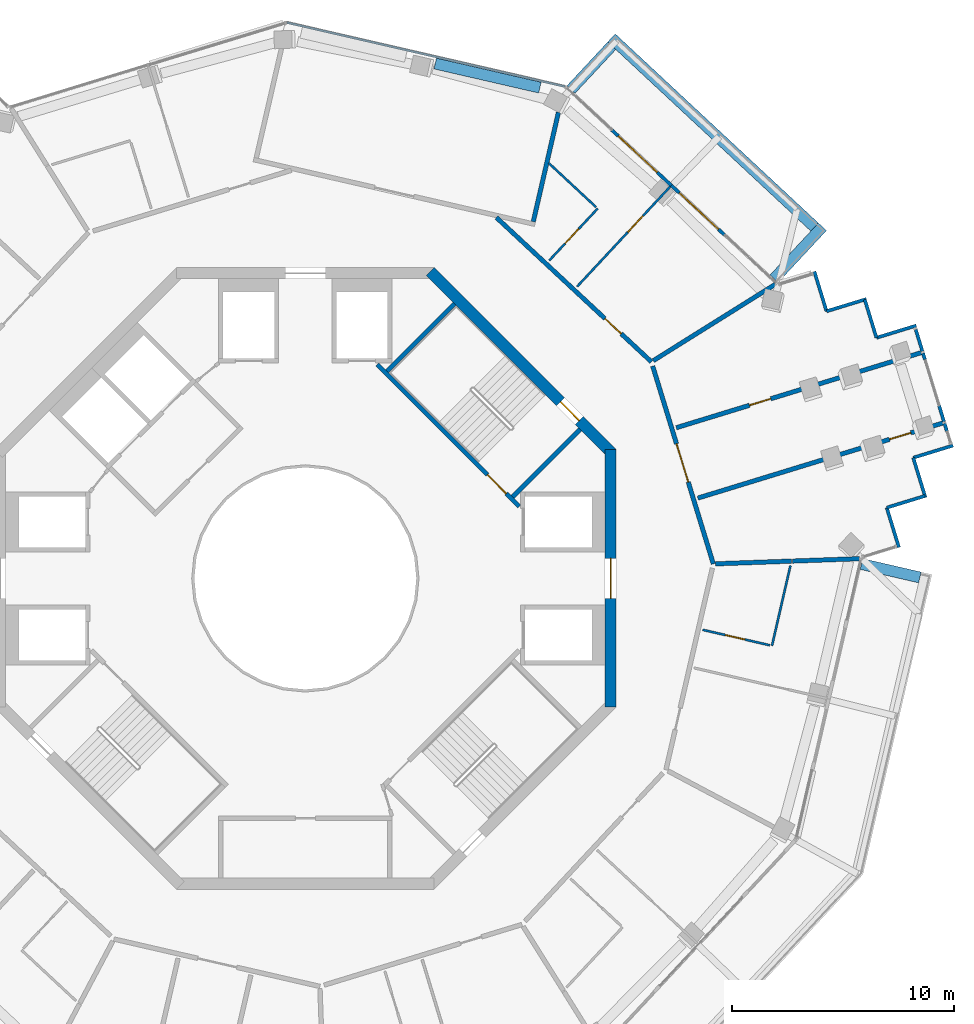
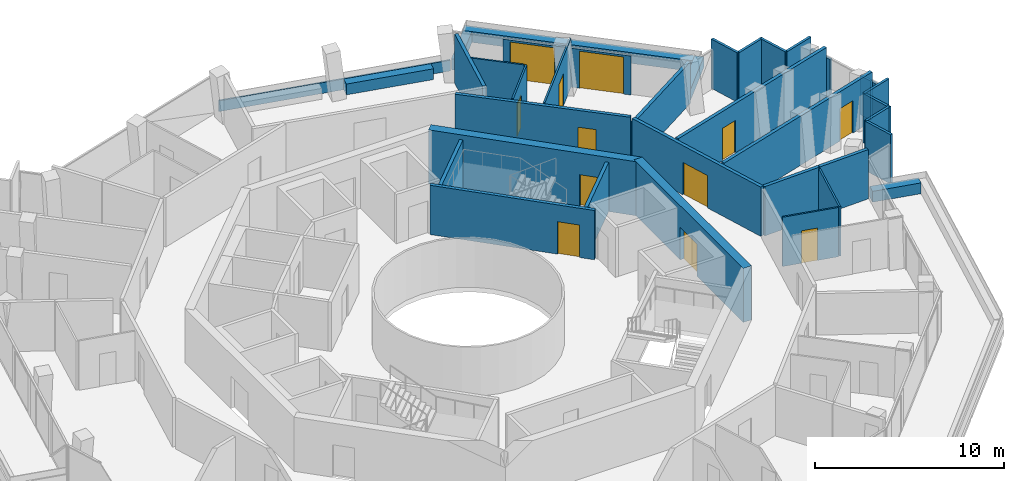
# One storey, part 18 of 21: 38 walls, 12 doors, 12 openings.
"""IFC4 building model written with IfcOpenShell, lengths in metres."""

from ifc_helpers import new_model, si_unit, direction, frame, frame_2d, origin, place, context, subcontext, project, spatial, rectangle, extrude, material, layer, layer_set, type_object, element, fill, save


model = new_model("IFC4")

# Units and contexts
model_context = context("Model", 3, precision=1e-05, world=origin(), true_north=direction((0.0, 1.0)))
body_context = subcontext(model_context, "Body", "Model", "MODEL_VIEW")
ifc_project = project(units=[si_unit("LENGTHUNIT", "METRE"), si_unit("AREAUNIT", "SQUARE_METRE"), si_unit("VOLUMEUNIT", "CUBIC_METRE"), si_unit("PLANEANGLEUNIT", "RADIAN"), si_unit("MASSUNIT", "GRAM", prefix="KILO")], contexts=[model_context])

# Site, building, storey
site_placement = place(None, origin())
site = spatial("IfcSite", under=ifc_project, at=site_placement, CompositionType="ELEMENT")
building_placement = place(site_placement, origin())
building = spatial("IfcBuilding", under=site, at=building_placement, Name="Verdalira Terraces Hotel", CompositionType="ELEMENT")
storey_placement = place(building_placement, frame((0.0, 0.0, 227.0)))
storey = spatial("IfcBuildingStorey", under=building, at=storey_placement, Name="L55", CompositionType="ELEMENT", Elevation=227.0)

# Walls
ifc_material_1 = material(Name="Concrete C40", Category="concrete")
ifc_layer_1 = layer(ifc_material_1, 0.5)
ifc_layer_set_1 = layer_set([ifc_layer_1], Name="Balcony planter trough with tree")
wall_type_1 = type_object("IfcWallType", Name="Balcony planter trough with tree", PredefinedType="SOLIDWALL", material=ifc_layer_set_1)
wall_1_placement = place(storey_placement, frame((27.67334, 0.044922, 0.0), z_axis=(0.0, 0.0, 1.0), x_axis=(-0.974535819, 0.224231882, 0.0)))
element("IfcWall", 1, at=wall_1_placement, inside=storey, type_object=wall_type_1, Name="Balcony planter", PredefinedType="SOLIDWALL", context=body_context, shape_type="SweptSolid", body=[
    extrude(rectangle(XDim=2.699219, YDim=0.5, at=frame_2d((1.349609, 0.0))), origin(), (0.0, 0.0, 1.0), 0.699951),
])
wall_2_placement = place(storey_placement, frame((21.106445, 13.494385, 0.0), z_axis=(0.0, 0.0, 1.0), x_axis=(0.681472097, 0.731844096, 0.0)))
element("IfcWall", 2, at=wall_2_placement, inside=storey, type_object=wall_type_1, Name="Balcony planter", PredefinedType="SOLIDWALL", context=body_context, shape_type="SweptSolid", body=[
    extrude(rectangle(XDim=3.198975, YDim=0.5, at=frame_2d((1.599609, 0.0))), origin(), (0.0, 0.0, 1.0), 0.699951),
])
wall_3_placement = place(storey_placement, frame((22.933105, 15.822998, 0.0), z_axis=(0.0, 0.0, 1.0), x_axis=(-0.731834184, 0.681482742, 0.0)))
element("IfcWall", 3, at=wall_3_placement, inside=storey, type_object=wall_type_1, Name="Balcony planter", PredefinedType="SOLIDWALL", context=body_context, shape_type="SweptSolid", body=[
    extrude(rectangle(XDim=12.5, YDim=0.5, at=frame_2d((6.25, 0.0))), origin(), (0.0, 0.0, 1.0), 0.699951),
])
wall_4_placement = place(storey_placement, frame((13.797852, 23.988281, 0.0), z_axis=(0.0, 0.0, 1.0), x_axis=(-0.681466979, -0.731848862, 0.0)))
element("IfcWall", 4, at=wall_4_placement, inside=storey, type_object=wall_type_1, Name="Balcony planter", PredefinedType="SOLIDWALL", context=body_context, shape_type="SweptSolid", body=[
    extrude(rectangle(XDim=2.699219, YDim=0.5, at=frame_2d((1.349609, 0.0))), origin(), (0.0, 0.0, 1.0), 0.699951),
])
ifc_material_2 = material(Name="Moisture-resistant gypsum board partition")
ifc_layer_2 = layer(ifc_material_2, 0.10009765625)
ifc_layer_set_2 = layer_set([ifc_layer_2], Name="Bathroom partition 100 mm")
wall_type_2 = type_object("IfcWallType", Name="Bathroom partition 100 mm", PredefinedType="PARTITIONING", material=ifc_layer_set_2)
wall_5_placement = place(storey_placement, frame((13.088379, 16.723389, 0.0), z_axis=(0.0, 0.0, 1.0), x_axis=(-0.731771404, 0.681550154, 0.0)))
element("IfcWall", 5, at=wall_5_placement, inside=storey, type_object=wall_type_2, Name="Bathroom partition", PredefinedType="PARTITIONING", context=body_context, shape_type="SweptSolid", body=[
    extrude(rectangle(XDim=2.911865, YDim=0.100098, at=frame_2d((1.456055, 0.0))), origin(), (0.0, 0.0, 1.0), 3.189941),
])

# Wall, opening, door
wall_6_placement = place(storey_placement, frame((10.980957, 14.313477, 0.0), z_axis=(0.0, 0.0, 1.0), x_axis=(0.681480535, 0.731836239, 0.0)))
wall_6 = element("IfcWall", 6, at=wall_6_placement, inside=storey, type_object=wall_type_2, Name="Bathroom partition", PredefinedType="PARTITIONING", context=body_context, shape_type="SweptSolid", body=[
    extrude(rectangle(XDim=3.199951, YDim=0.100098, at=frame_2d((1.600098, 0.0))), origin(), (0.0, 0.0, 1.0), 3.189941),
])
opening_1_placement = place(wall_6_placement, frame((1.050049, 0.0, 0.0)))
opening_1 = element("IfcOpeningElement", 7, at=opening_1_placement, cuts=wall_6, Name="Opening L55-129", PredefinedType="OPENING", context=body_context, shape_type="SweptSolid", body=[
    extrude(rectangle(XDim=0.899902, YDim=2.100098, at=frame_2d((0.449951, 1.050049))), frame((0.0, 0.060059, 0.0), z_axis=(0.0, -1.0, 0.0), x_axis=(1.0, 0.0, 0.0)), (0.0, 0.0, 1.0), 0.120117),
])
ifc_material_3 = material(Name="Timber door", Category="wood")
door_type_1 = type_object("IfcDoorType", Name="Bathroom door 900 x 2100", OperationType="NOTDEFINED", PredefinedType="DOOR", material=ifc_material_3)
door_1_placement = place(opening_1_placement, origin())
door_1 = element("IfcDoor", 8, at=door_1_placement, inside=storey, type_object=door_type_1, Name="Bathroom door 5510", OperationType="SINGLE_SWING_RIGHT", OverallHeight=2.10009765625, OverallWidth=0.89990234375, PredefinedType="DOOR", context=body_context, shape_type="SweptSolid", body=[
    extrude(rectangle(XDim=0.899902, YDim=2.100098, at=frame_2d((0.449951, 1.050049))), frame((0.0, 0.024902, 0.0), z_axis=(0.0, -1.0, 0.0), x_axis=(1.0, 0.0, 0.0)), (0.0, 0.0, 1.0), 0.050049),
])
fill(opening_1, door_1)

wall_7_placement = place(storey_placement, frame((12.238281, 13.142334, 0.0), z_axis=(0.0, 0.0, 1.0), x_axis=(0.681470587, 0.731845502, 0.0)))
wall_7 = element("IfcWall", 9, at=wall_7_placement, inside=storey, type_object=wall_type_2, Name="Bathroom partition", PredefinedType="PARTITIONING", context=body_context, shape_type="SweptSolid", body=[
    extrude(rectangle(XDim=6.150146, YDim=0.100098, at=frame_2d((3.075195, 0.0))), origin(), (0.0, 0.0, 1.0), 3.189941),
])
opening_2_placement = place(wall_7_placement, frame((3.350098, 0.0, 0.0)))
opening_2 = element("IfcOpeningElement", 10, at=opening_2_placement, cuts=wall_7, Name="Opening L55-128", PredefinedType="OPENING", context=body_context, shape_type="SweptSolid", body=[
    extrude(rectangle(XDim=1.0, YDim=2.100098, at=frame_2d((0.5, 1.050049))), frame((0.0, 0.060059, 0.0), z_axis=(0.0, -1.0, 0.0), x_axis=(1.0, 0.0, 0.0)), (0.0, 0.0, 1.0), 0.120117),
])
ifc_material_4 = material(Name="Timber door", Category="wood")
door_type_2 = type_object("IfcDoorType", Name="Suite internal door 1000 x 2100", OperationType="NOTDEFINED", PredefinedType="DOOR", material=ifc_material_4)
door_2_placement = place(opening_2_placement, origin())
door_2 = element("IfcDoor", 11, at=door_2_placement, inside=storey, type_object=door_type_2, Name="Suite internal door 5510", OperationType="SINGLE_SWING_LEFT", OverallHeight=2.10009765625, OverallWidth=1.0, PredefinedType="DOOR", context=body_context, shape_type="SweptSolid", body=[
    extrude(rectangle(XDim=1.0, YDim=2.100098, at=frame_2d((0.5, 1.050049))), frame((0.0, 0.024902, 0.0), z_axis=(0.0, -1.0, 0.0), x_axis=(1.0, 0.0, 0.0)), (0.0, 0.0, 1.0), 0.050049),
])
fill(opening_2, door_2)

wall_8_placement = place(storey_placement, frame((17.895264, -2.313965, 0.0), z_axis=(0.0, 0.0, 1.0), x_axis=(0.974521112, -0.224295792, 0.0)))
wall_8 = element("IfcWall", 12, at=wall_8_placement, inside=storey, type_object=wall_type_2, Name="Bathroom partition", PredefinedType="PARTITIONING", context=body_context, shape_type="SweptSolid", body=[
    extrude(rectangle(XDim=3.100098, YDim=0.100098, at=frame_2d((1.550049, 0.0))), origin(), (0.0, 0.0, 1.0), 3.189941),
])
opening_3_placement = place(wall_8_placement, frame((1.050049, 0.0, 0.0)))
opening_3 = element("IfcOpeningElement", 13, at=opening_3_placement, cuts=wall_8, Name="Opening L55-123", PredefinedType="OPENING", context=body_context, shape_type="SweptSolid", body=[
    extrude(rectangle(XDim=0.899902, YDim=2.100098, at=frame_2d((0.449951, 1.050049))), frame((0.0, 0.060059, 0.0), z_axis=(0.0, -1.0, 0.0), x_axis=(1.0, 0.0, 0.0)), (0.0, 0.0, 1.0), 0.120117),
])
door_3_placement = place(opening_3_placement, origin())
door_3 = element("IfcDoor", 14, at=door_3_placement, inside=storey, type_object=door_type_1, Name="Bathroom door 5508", OperationType="SINGLE_SWING_RIGHT", OverallHeight=2.10009765625, OverallWidth=0.89990234375, PredefinedType="DOOR", context=body_context, shape_type="SweptSolid", body=[
    extrude(rectangle(XDim=0.899902, YDim=2.100098, at=frame_2d((0.449951, 1.050049))), frame((0.0, 0.024902, 0.0), z_axis=(0.0, -1.0, 0.0), x_axis=(1.0, 0.0, 0.0)), (0.0, 0.0, 1.0), 0.050049),
])
fill(opening_3, door_3)

# Wall
wall_9_placement = place(storey_placement, frame((21.013672, -3.031738, 0.0), z_axis=(0.0, 0.0, 1.0), x_axis=(0.224301063, 0.974519899, 0.0)))
element("IfcWall", 15, at=wall_9_placement, inside=storey, type_object=wall_type_2, Name="Bathroom partition", PredefinedType="PARTITIONING", context=body_context, shape_type="SweptSolid", body=[
    extrude(rectangle(XDim=3.704102, YDim=0.100098, at=frame_2d((1.852051, 0.0))), origin(), (0.0, 0.0, 1.0), 3.189941),
])

# Wall, opening, door
ifc_material_5 = material(Name="Concrete C50", Category="concrete")
ifc_layer_3 = layer(ifc_material_5, 0.199951171875)
ifc_layer_set_3 = layer_set([ifc_layer_3], Name="Core RC wall 200 C50")
wall_type_3 = type_object("IfcWallType", Name="Core RC wall 200 C50", PredefinedType="SOLIDWALL", material=ifc_layer_set_3)
wall_10_placement = place(storey_placement, frame((3.23999, 9.629395, 0.0), z_axis=(0.0, 0.0, 1.0), x_axis=(0.707106781, -0.707106781, 0.0)))
wall_10 = element("IfcWall", 16, at=wall_10_placement, inside=storey, type_object=wall_type_3, Name="L55 stair ST1 front wall", PredefinedType="SOLIDWALL", context=body_context, shape_type="SweptSolid", body=[
    extrude(rectangle(XDim=9.035889, YDim=0.199951, at=frame_2d((4.518066, 0.0))), origin(), (0.0, 0.0, 1.0), 3.189941),
])
opening_4_placement = place(wall_10_placement, frame((7.017822, 0.0, 0.0)))
opening_4 = element("IfcOpeningElement", 17, at=opening_4_placement, cuts=wall_10, Name="Opening L55-810", PredefinedType="OPENING", context=body_context, shape_type="SweptSolid", body=[
    extrude(rectangle(XDim=1.199951, YDim=2.100098, at=frame_2d((0.600098, 1.050049))), frame((0.0, 0.109863, 0.0), z_axis=(0.0, -1.0, 0.0), x_axis=(1.0, 0.0, 0.0)), (0.0, 0.0, 1.0), 0.219971),
])
ifc_material_6 = material(Name="Steel fire door", Category="steel")
door_type_3 = type_object("IfcDoorType", Name="Stair door 1200 x 2100", OperationType="NOTDEFINED", PredefinedType="DOOR", material=ifc_material_6)
door_4_placement = place(opening_4_placement, origin())
door_4 = element("IfcDoor", 18, at=door_4_placement, inside=storey, type_object=door_type_3, Name="Stair door ST1 L55", OperationType="SINGLE_SWING_RIGHT", OverallHeight=2.10009765625, OverallWidth=1.199951171875, PredefinedType="DOOR", context=body_context, shape_type="SweptSolid", body=[
    extrude(rectangle(XDim=1.199951, YDim=2.100098, at=frame_2d((0.600098, 1.050049))), frame((0.0, 0.024902, 0.0), z_axis=(0.0, -1.0, 0.0), x_axis=(1.0, 0.0, 0.0)), (0.0, 0.0, 1.0), 0.050049),
])
fill(opening_4, door_4)

# Walls
for number, where, z_axis, x_axis, name in (
    (19, (9.33374, 3.677002, 0.0), (0.0, 0.0, 1.0), (0.707135168, 0.707078393, 0.0), "L55 stair ST1 end wall 1"),
    (20, (3.677002, 9.33374, 0.0), (0.0, 0.0, 1.0), (0.707078393, 0.707135168, 0.0), "L55 stair ST1 end wall 2"),
):
    element("IfcWall", number, at=place(storey_placement, frame(where, z_axis=z_axis, x_axis=x_axis)), inside=storey, type_object=wall_type_3, Name=name, PredefinedType="SOLIDWALL", context=body_context, shape_type="SweptSolid", body=[
        extrude(rectangle(XDim=4.300049, YDim=0.199951, at=frame_2d((2.149902, 0.0))), origin(), (0.0, 0.0, 1.0), 3.189941),
    ])

# Wall, opening, door
ifc_material_7 = material(Name="Concrete C50", Category="concrete")
ifc_layer_4 = layer(ifc_material_7, 0.5)
ifc_layer_set_4 = layer_set([ifc_layer_4], Name="Core wall 500 C50")
wall_type_4 = type_object("IfcWallType", Name="Core wall 500 C50", PredefinedType="SHEAR", material=ifc_layer_set_4)
wall_11_placement = place(storey_placement, frame((13.75, -5.799072, 0.0), z_axis=(0.0, 0.0, 1.0), x_axis=(0.0, 1.0, 0.0)))
wall_11 = element("IfcWall", 21, at=wall_11_placement, inside=storey, type_object=wall_type_4, Name="Core wall CW-L55-1", PredefinedType="SHEAR", context=body_context, shape_type="SweptSolid", body=[
    extrude(rectangle(XDim=11.598145, YDim=0.5, at=frame_2d((5.799072, 0.0))), origin(), (0.0, 0.0, 1.0), 3.5),
])
opening_5_placement = place(wall_11_placement, frame((4.898926, 0.0, 0.0)))
opening_5 = element("IfcOpeningElement", 22, at=opening_5_placement, cuts=wall_11, Name="Opening L55-813", PredefinedType="OPENING", context=body_context, shape_type="SweptSolid", body=[
    extrude(rectangle(XDim=1.800049, YDim=2.100098, at=frame_2d((0.899902, 1.050049))), frame((0.0, 0.26001, 0.0), z_axis=(0.0, -1.0, 0.0), x_axis=(1.0, 0.0, 0.0)), (0.0, 0.0, 1.0), 0.52002),
])
ifc_material_8 = material(Name="Steel fire door", Category="steel")
door_type_4 = type_object("IfcDoorType", Name="Core entry door pair 1800 x 2100", OperationType="NOTDEFINED", PredefinedType="DOOR", material=ifc_material_8)
door_5_placement = place(opening_5_placement, origin())
door_5 = element("IfcDoor", 23, at=door_5_placement, inside=storey, type_object=door_type_4, Name="Core entry door L55 0", OperationType="DOUBLE_DOOR_SINGLE_SWING", OverallHeight=2.10009765625, OverallWidth=1.800048828125, PredefinedType="DOOR", context=body_context, shape_type="SweptSolid", body=[
    extrude(rectangle(XDim=1.800049, YDim=2.100098, at=frame_2d((0.899902, 1.050049))), frame((0.0, 0.024902, 0.0), z_axis=(0.0, -1.0, 0.0), x_axis=(1.0, 0.0, 0.0)), (0.0, 0.0, 1.0), 0.050049),
])
fill(opening_5, door_5)

wall_12_placement = place(storey_placement, frame((13.823242, 5.622314, 0.0), z_axis=(0.0, 0.0, 1.0), x_axis=(-0.707106781, 0.707106781, 0.0)))
wall_12 = element("IfcWall", 24, at=wall_12_placement, inside=storey, type_object=wall_type_4, Name="Core wall CW-L55-2", PredefinedType="SHEAR", context=body_context, shape_type="SweptSolid", body=[
    extrude(rectangle(XDim=11.5979, YDim=0.5, at=frame_2d((5.798828, 0.0))), origin(), (0.0, 0.0, 1.0), 3.5),
])
opening_6_placement = place(wall_12_placement, frame((2.099121, 0.0, 0.0)))
opening_6 = element("IfcOpeningElement", 25, at=opening_6_placement, cuts=wall_12, Name="Opening L55-816", PredefinedType="OPENING", context=body_context, shape_type="SweptSolid", body=[
    extrude(rectangle(XDim=1.199951, YDim=2.100098, at=frame_2d((0.600098, 1.050049))), frame((0.0, 0.26001, 0.0), z_axis=(0.0, -1.0, 0.0), x_axis=(1.0, 0.0, 0.0)), (0.0, 0.0, 1.0), 0.52002),
])
door_6_placement = place(opening_6_placement, origin())
door_6 = element("IfcDoor", 26, at=door_6_placement, inside=storey, type_object=door_type_3, Name="Stair exit door ST1 L55", OperationType="SINGLE_SWING_LEFT", OverallHeight=2.10009765625, OverallWidth=1.199951171875, PredefinedType="DOOR", context=body_context, shape_type="SweptSolid", body=[
    extrude(rectangle(XDim=1.199951, YDim=2.100098, at=frame_2d((0.600098, 1.050049))), frame((0.0, 0.024902, 0.0), z_axis=(0.0, -1.0, 0.0), x_axis=(1.0, 0.0, 0.0)), (0.0, 0.0, 1.0), 0.050049),
])
fill(opening_6, door_6)

# Wall
ifc_material_9 = material(Name="Fire-rated gypsum board wall")
ifc_layer_5 = layer(ifc_material_9, 0.199951171875)
ifc_layer_set_5 = layer_set([ifc_layer_5], Name="Demising wall 200 mm")
wall_type_5 = type_object("IfcWallType", Name="Demising wall 200 mm", PredefinedType="SOLIDWALL", material=ifc_layer_set_5)
wall_13_placement = place(storey_placement, frame((21.892822, 0.779785, 0.0), z_axis=(0.0, 0.0, 1.0), x_axis=(-0.999367305, -0.035566706, 0.0)))
element("IfcWall", 27, at=wall_13_placement, inside=storey, type_object=wall_type_5, Name="Demising wall", PredefinedType="SOLIDWALL", context=body_context, shape_type="SweptSolid", body=[
    extrude(rectangle(XDim=3.418457, YDim=0.199951, at=frame_2d((1.709229, 0.0))), origin(), (0.0, 0.0, 1.0), 3.189941),
])

# Wall, opening, door
wall_14_placement = place(storey_placement, frame((16.702881, 6.786377, 0.0), z_axis=(0.0, 0.0, 1.0), x_axis=(0.956096998, 0.293050387, 0.0)))
wall_14 = element("IfcWall", 28, at=wall_14_placement, inside=storey, type_object=wall_type_5, Name="Demising wall", PredefinedType="SOLIDWALL", context=body_context, shape_type="SweptSolid", body=[
    extrude(rectangle(XDim=11.533447, YDim=0.199951, at=frame_2d((5.766602, 0.0))), origin(), (0.0, 0.0, 1.0), 3.189941),
])
opening_7_placement = place(wall_14_placement, frame((3.449951, 0.0, 0.0)))
opening_7 = element("IfcOpeningElement", 29, at=opening_7_placement, cuts=wall_14, Name="Opening L55-126", PredefinedType="OPENING", context=body_context, shape_type="SweptSolid", body=[
    extrude(rectangle(XDim=1.0, YDim=2.100098, at=frame_2d((0.5, 1.050049))), frame((0.0, 0.109863, 0.0), z_axis=(0.0, -1.0, 0.0), x_axis=(1.0, 0.0, 0.0)), (0.0, 0.0, 1.0), 0.219971),
])
ifc_material_10 = material(Name="Timber fire door", Category="wood")
door_type_5 = type_object("IfcDoorType", Name="Public room door 1000 x 2100", OperationType="NOTDEFINED", PredefinedType="DOOR", material=ifc_material_10)
door_7_placement = place(opening_7_placement, origin())
door_7 = element("IfcDoor", 30, at=door_7_placement, inside=storey, type_object=door_type_5, Name="Public room door 5509", OperationType="SINGLE_SWING_LEFT", OverallHeight=2.10009765625, OverallWidth=1.0, PredefinedType="DOOR", context=body_context, shape_type="SweptSolid", body=[
    extrude(rectangle(XDim=1.0, YDim=2.100098, at=frame_2d((0.5, 1.050049))), frame((0.0, 0.024902, 0.0), z_axis=(0.0, -1.0, 0.0), x_axis=(1.0, 0.0, 0.0)), (0.0, 0.0, 1.0), 0.050049),
])
fill(opening_7, door_7)

wall_15_placement = place(storey_placement, frame((28.701416, 6.996826, 0.0), z_axis=(0.0, 0.0, 1.0), x_axis=(-0.956102929, -0.293031037, 0.0)))
wall_15 = element("IfcWall", 31, at=wall_15_placement, inside=storey, type_object=wall_type_5, Name="Demising wall", PredefinedType="SOLIDWALL", context=body_context, shape_type="SweptSolid", body=[
    extrude(rectangle(XDim=11.533447, YDim=0.199951, at=frame_2d((5.766602, 0.0))), origin(), (0.0, 0.0, 1.0), 3.189941),
])
opening_8_placement = place(wall_15_placement, frame((1.5, 0.0, 0.0)))
opening_8 = element("IfcOpeningElement", 32, at=opening_8_placement, cuts=wall_15, Name="Opening L55-125", PredefinedType="OPENING", context=body_context, shape_type="SweptSolid", body=[
    extrude(rectangle(XDim=1.0, YDim=2.100098, at=frame_2d((0.5, 1.050049))), frame((0.0, 0.109863, 0.0), z_axis=(0.0, -1.0, 0.0), x_axis=(1.0, 0.0, 0.0)), (0.0, 0.0, 1.0), 0.219971),
])
door_8_placement = place(opening_8_placement, origin())
door_8 = element("IfcDoor", 33, at=door_8_placement, inside=storey, type_object=door_type_5, Name="Public room door 5509", OperationType="SINGLE_SWING_LEFT", OverallHeight=2.10009765625, OverallWidth=1.0, PredefinedType="DOOR", context=body_context, shape_type="SweptSolid", body=[
    extrude(rectangle(XDim=1.0, YDim=2.100098, at=frame_2d((0.5, 1.050049))), frame((0.0, 0.024902, 0.0), z_axis=(0.0, -1.0, 0.0), x_axis=(1.0, 0.0, 0.0)), (0.0, 0.0, 1.0), 0.050049),
])
fill(opening_8, door_8)

# Walls
wall_16_placement = place(storey_placement, frame((24.948242, 0.888672, 0.0), z_axis=(0.0, 0.0, 1.0), x_axis=(-0.999366464, -0.03559032, 0.0)))
element("IfcWall", 34, at=wall_16_placement, inside=storey, type_object=wall_type_5, Name="Demising wall", PredefinedType="SOLIDWALL", context=body_context, shape_type="SweptSolid", body=[
    extrude(rectangle(XDim=3.011475, YDim=0.199951, at=frame_2d((1.505859, 0.0))), origin(), (0.0, 0.0, 1.0), 3.189941),
])
ifc_material_11 = material(Name="Fire-rated gypsum board wall")
ifc_layer_6 = layer(ifc_material_11, 0.199951171875)
ifc_layer_set_6 = layer_set([ifc_layer_6], Name="Demising wall 200 mm to beam soffit")
wall_type_6 = type_object("IfcWallType", Name="Demising wall 200 mm to beam soffit", PredefinedType="SOLIDWALL", material=ifc_layer_set_6)
wall_17_placement = place(storey_placement, frame((15.672119, 9.80835, 0.0), z_axis=(0.0, 0.0, 1.0), x_axis=(0.847695291, 0.530483453, 0.0)))
element("IfcWall", 35, at=wall_17_placement, inside=storey, type_object=wall_type_6, Name="Demising wall", PredefinedType="SOLIDWALL", context=body_context, shape_type="SweptSolid", body=[
    extrude(rectangle(XDim=6.47583, YDim=0.199951, at=frame_2d((3.237793, 0.0))), origin(), (0.0, 0.0, 1.0), 2.689941),
])

# Wall, opening, door
ifc_material_12 = material(Name="Fire-rated gypsum board wall")
ifc_layer_7 = layer(ifc_material_12, 0.199951171875)
ifc_layer_set_7 = layer_set([ifc_layer_7], Name="Guest corridor wall 200 mm")
wall_type_7 = type_object("IfcWallType", Name="Guest corridor wall 200 mm", PredefinedType="SOLIDWALL", material=ifc_layer_set_7)
wall_18_placement = place(storey_placement, frame((8.605225, 16.252441, 0.0), z_axis=(0.0, 0.0, 1.0), x_axis=(0.731836298, -0.681480472, 0.0)))
wall_18 = element("IfcWall", 36, at=wall_18_placement, inside=storey, type_object=wall_type_7, Name="Guest corridor wall", PredefinedType="SOLIDWALL", context=body_context, shape_type="SweptSolid", body=[
    extrude(rectangle(XDim=9.536621, YDim=0.199951, at=frame_2d((4.768311, 0.0))), origin(), (0.0, 0.0, 1.0), 3.189941),
])
opening_9_placement = place(wall_18_placement, frame((6.678223, 0.0, 0.0)))
opening_9 = element("IfcOpeningElement", 37, at=opening_9_placement, cuts=wall_18, Name="Opening L55-127", PredefinedType="OPENING", context=body_context, shape_type="SweptSolid", body=[
    extrude(rectangle(XDim=1.0, YDim=2.100098, at=frame_2d((0.5, 1.050049))), frame((0.0, 0.109863, 0.0), z_axis=(0.0, -1.0, 0.0), x_axis=(1.0, 0.0, 0.0)), (0.0, 0.0, 1.0), 0.219971),
])
ifc_material_13 = material(Name="Timber fire door", Category="wood")
door_type_6 = type_object("IfcDoorType", Name="Guest entry door 1000 x 2100", OperationType="NOTDEFINED", PredefinedType="DOOR", material=ifc_material_13)
door_9_placement = place(opening_9_placement, origin())
door_9 = element("IfcDoor", 38, at=door_9_placement, inside=storey, type_object=door_type_6, Name="Guest entry door 5510", OperationType="SINGLE_SWING_LEFT", OverallHeight=2.10009765625, OverallWidth=1.0, PredefinedType="DOOR", context=body_context, shape_type="SweptSolid", body=[
    extrude(rectangle(XDim=1.0, YDim=2.100098, at=frame_2d((0.5, 1.050049))), frame((0.0, 0.024902, 0.0), z_axis=(0.0, -1.0, 0.0), x_axis=(1.0, 0.0, 0.0)), (0.0, 0.0, 1.0), 0.050049),
])
fill(opening_9, door_9)

wall_19_placement = place(storey_placement, frame((15.643066, 9.562012, 0.0), z_axis=(0.0, 0.0, 1.0), x_axis=(0.293021329, -0.956105904, 0.0)))
wall_19 = element("IfcWall", 39, at=wall_19_placement, inside=storey, type_object=wall_type_7, Name="Guest corridor wall", PredefinedType="SOLIDWALL", context=body_context, shape_type="SweptSolid", body=[
    extrude(rectangle(XDim=9.31665, YDim=0.199951, at=frame_2d((4.658203, 0.0))), origin(), (0.0, 0.0, 1.0), 3.189941),
])
opening_10_placement = place(wall_19_placement, frame((3.664551, 0.0, 0.0)))
opening_10 = element("IfcOpeningElement", 40, at=opening_10_placement, cuts=wall_19, Name="Opening L55-124", PredefinedType="OPENING", context=body_context, shape_type="SweptSolid", body=[
    extrude(rectangle(XDim=1.800049, YDim=2.100098, at=frame_2d((0.899902, 1.050049))), frame((0.0, 0.109863, 0.0), z_axis=(0.0, -1.0, 0.0), x_axis=(1.0, 0.0, 0.0)), (0.0, 0.0, 1.0), 0.219971),
])
ifc_material_14 = material(Name="Timber fire door", Category="wood")
door_type_7 = type_object("IfcDoorType", Name="Public room double door 1800 x 2100", OperationType="NOTDEFINED", PredefinedType="DOOR", material=ifc_material_14)
door_10_placement = place(opening_10_placement, origin())
door_10 = element("IfcDoor", 41, at=door_10_placement, inside=storey, type_object=door_type_7, Name="Public room double door 5509", OperationType="DOUBLE_DOOR_SINGLE_SWING", OverallHeight=2.10009765625, OverallWidth=1.800048828125, PredefinedType="DOOR", context=body_context, shape_type="SweptSolid", body=[
    extrude(rectangle(XDim=1.800049, YDim=2.100098, at=frame_2d((0.899902, 1.050049))), frame((0.0, 0.024902, 0.0), z_axis=(0.0, -1.0, 0.0), x_axis=(1.0, 0.0, 0.0)), (0.0, 0.0, 1.0), 0.050049),
])
fill(opening_10, door_10)

# Walls
ifc_material_15 = material(Name="Terracotta cladding", Category="masonry")
ifc_layer_8 = layer(ifc_material_15, 0.199951171875)
ifc_layer_set_8 = layer_set([ifc_layer_8], Name="Loggia back wall 200")
wall_type_8 = type_object("IfcWallType", Name="Loggia back wall 200", PredefinedType="SOLIDWALL", material=ifc_layer_set_8)
wall_20_placement = place(storey_placement, frame((11.397949, 20.990479, 0.0), z_axis=(0.0, 0.0, 1.0), x_axis=(-0.224294969, -0.974521301, 0.0)))
element("IfcWall", 42, at=wall_20_placement, inside=storey, type_object=wall_type_8, Name="Loggia side wall", PredefinedType="SOLIDWALL", context=body_context, shape_type="SweptSolid", body=[
    extrude(rectangle(XDim=5.053711, YDim=0.199951, at=frame_2d((2.526855, 0.0))), origin(), (0.0, 0.0, 1.0), 3.189941),
])
ifc_material_16 = material(Name="Concrete C40", Category="concrete")
ifc_layer_9 = layer(ifc_material_16, 0.5)
ifc_layer_set_9 = layer_set([ifc_layer_9], Name="Loggia planter trough with tree")
wall_type_9 = type_object("IfcWallType", Name="Loggia planter trough with tree", PredefinedType="SOLIDWALL", material=ifc_layer_set_9)
wall_21_placement = place(storey_placement, frame((10.562744, 22.102539, 0.0), z_axis=(0.0, 0.0, 1.0), x_axis=(-0.974528828, 0.224262267, 0.0)))
element("IfcWall", 43, at=wall_21_placement, inside=storey, type_object=wall_type_9, Name="Loggia planter", PredefinedType="SOLIDWALL", context=body_context, shape_type="SweptSolid", body=[
    extrude(rectangle(XDim=4.836914, YDim=0.5, at=frame_2d((2.418457, 0.0))), origin(), (0.0, 0.0, 1.0), 0.699951),
])
ifc_material_17 = material(Name="Concrete C40", Category="concrete")
ifc_layer_10 = layer(ifc_material_17, 0.10009765625)
ifc_layer_set_10 = layer_set([ifc_layer_10], Name="Loggia upstand 100")
wall_type_10 = type_object("IfcWallType", Name="Loggia upstand 100", PredefinedType="SOLIDWALL", material=ifc_layer_set_10)
wall_22_placement = place(storey_placement, frame((11.685791, 22.151855, 0.0), z_axis=(0.0, 0.0, 1.0), x_axis=(-0.974526893, 0.224270671, 0.0)))
element("IfcWall", 44, at=wall_22_placement, inside=storey, type_object=wall_type_10, Name="Loggia upstand", PredefinedType="SOLIDWALL", context=body_context, shape_type="SweptSolid", body=[
    extrude(rectangle(XDim=12.840088, YDim=0.100098, at=frame_2d((6.419922, 0.0))), origin(), (0.0, 0.0, 1.0), 0.699951),
])
ifc_material_18 = material(Name="Terracotta cladding", Category="masonry")
ifc_layer_11 = layer(ifc_material_18, 0.14990234375)
ifc_layer_set_11 = layer_set([ifc_layer_11], Name="Terracotta clad wall 150")
wall_type_11 = type_object("IfcWallType", Name="Terracotta clad wall 150", PredefinedType="SOLIDWALL", material=ifc_layer_set_11)
wall_23_placement = place(storey_placement, frame((26.731689, 1.394775, 0.0), z_axis=(0.0, 0.0, 1.0), x_axis=(-0.293124889, 0.95607416, 0.0)))
element("IfcWall", 45, at=wall_23_placement, inside=storey, type_object=wall_type_11, Name="Terracotta cladding wall", PredefinedType="SOLIDWALL", context=body_context, shape_type="SweptSolid", body=[
    extrude(rectangle(XDim=1.874756, YDim=0.149902, at=frame_2d((0.9375, 0.0))), origin(), (0.0, 0.0, 1.0), 3.189941),
])
wall_24_placement = place(storey_placement, frame((26.182129, 3.187256, 0.0), z_axis=(0.0, 0.0, 1.0), x_axis=(0.956092214, 0.293065996, 0.0)))
element("IfcWall", 46, at=wall_24_placement, inside=storey, type_object=wall_type_11, Name="Terracotta cladding wall", PredefinedType="SOLIDWALL", context=body_context, shape_type="SweptSolid", body=[
    extrude(rectangle(XDim=1.800293, YDim=0.149902, at=frame_2d((0.900146, 0.0))), origin(), (0.0, 0.0, 1.0), 3.189941),
])
for number, where, z_axis, x_axis, name in (
    (47, (27.925293, 3.643066, 0.0), (0.0, 0.0, 1.0), (-0.293088399, 0.956085347, 0.0), "Terracotta cladding wall"),
    (48, (27.375732, 5.435791, 0.0), (0.0, 0.0, 1.0), (0.956085347, 0.293088399, 0.0), "Terracotta cladding wall"),
    (49, (27.512695, 11.387207, 0.0), (0.0, 0.0, 1.0), (-0.956085347, -0.293088399, 0.0), "Terracotta cladding wall"),
):
    element("IfcWall", number, at=place(storey_placement, frame(where, z_axis=z_axis, x_axis=x_axis)), inside=storey, type_object=wall_type_11, Name=name, PredefinedType="SOLIDWALL", context=body_context, shape_type="SweptSolid", body=[
        extrude(rectangle(XDim=1.875, YDim=0.149902, at=frame_2d((0.9375, 0.0))), origin(), (0.0, 0.0, 1.0), 3.189941),
    ])
wall_25_placement = place(storey_placement, frame((25.719971, 10.837646, 0.0), z_axis=(0.0, 0.0, 1.0), x_axis=(-0.292942021, 0.956130207, 0.0)))
element("IfcWall", 50, at=wall_25_placement, inside=storey, type_object=wall_type_11, Name="Terracotta cladding wall", PredefinedType="SOLIDWALL", context=body_context, shape_type="SweptSolid", body=[
    extrude(rectangle(XDim=1.800049, YDim=0.149902, at=frame_2d((0.899902, 0.0))), origin(), (0.0, 0.0, 1.0), 3.189941),
])
for number, where, z_axis, x_axis, name in (
    (51, (25.264404, 12.580811, 0.0), (0.0, 0.0, 1.0), (-0.956085347, -0.293088399, 0.0), "Terracotta cladding wall"),
    (52, (23.47168, 12.03125, 0.0), (0.0, 0.0, 1.0), (-0.293088399, 0.956085347, 0.0), "Terracotta cladding wall"),
):
    element("IfcWall", number, at=place(storey_placement, frame(where, z_axis=z_axis, x_axis=x_axis)), inside=storey, type_object=wall_type_11, Name=name, PredefinedType="SOLIDWALL", context=body_context, shape_type="SweptSolid", body=[
        extrude(rectangle(XDim=1.875, YDim=0.149902, at=frame_2d((0.9375, 0.0))), origin(), (0.0, 0.0, 1.0), 3.189941),
    ])
ifc_material_19 = material(Name="Terracotta cladding", Category="masonry")
ifc_layer_12 = layer(ifc_material_19, 0.14990234375)
ifc_layer_set_12 = layer_set([ifc_layer_12], Name="Terracotta column pier 150")
wall_type_12 = type_object("IfcWallType", Name="Terracotta column pier 150", PredefinedType="SOLIDWALL", material=ifc_layer_set_12)
wall_26_placement = place(storey_placement, frame((28.901855, 6.599121, 0.0), z_axis=(0.0, 0.0, 1.0), x_axis=(-0.29301103, 0.956109061, 0.0)))
element("IfcWall", 53, at=wall_26_placement, inside=storey, type_object=wall_type_12, Name="Terracotta column pier", PredefinedType="SOLIDWALL", context=body_context, shape_type="SweptSolid", body=[
    extrude(rectangle(XDim=0.39917, YDim=0.149902, at=frame_2d((0.199707, 0.0))), origin(), (0.0, 0.0, 1.0), 2.524902),
])
wall_27_placement = place(storey_placement, frame((28.761475, 7.057129, 0.0), z_axis=(0.0, 0.0, 1.0), x_axis=(-0.29303028, 0.956103161, 0.0)))
element("IfcWall", 54, at=wall_27_placement, inside=storey, type_object=wall_type_12, Name="Terracotta column pier", PredefinedType="SOLIDWALL", context=body_context, shape_type="SweptSolid", body=[
    extrude(rectangle(XDim=0.763916, YDim=0.149902, at=frame_2d((0.381836, 0.0))), origin(), (0.0, 0.0, 1.0), 2.524902),
])
wall_28_placement = place(storey_placement, frame((27.901367, 9.863037, 0.0), z_axis=(0.0, 0.0, 1.0), x_axis=(-0.292942021, 0.956130207, 0.0)))
element("IfcWall", 55, at=wall_28_placement, inside=storey, type_object=wall_type_12, Name="Terracotta column pier", PredefinedType="SOLIDWALL", context=body_context, shape_type="SweptSolid", body=[
    extrude(rectangle(XDim=0.300049, YDim=0.149902, at=frame_2d((0.149902, 0.0))), origin(), (0.0, 0.0, 1.0), 2.524902),
])
wall_29_placement = place(storey_placement, frame((27.790039, 10.226318, 0.0), z_axis=(0.0, 0.0, 1.0), x_axis=(-0.292876941, 0.956150144, 0.0)))
element("IfcWall", 56, at=wall_29_placement, inside=storey, type_object=wall_type_12, Name="Terracotta column pier", PredefinedType="SOLIDWALL", context=body_context, shape_type="SweptSolid", body=[
    extrude(rectangle(XDim=1.036133, YDim=0.149902, at=frame_2d((0.518066, 0.0))), origin(), (0.0, 0.0, 1.0), 2.524902),
])

# Wall, opening, door
ifc_material_20 = material(Name="Terracotta cladding", Category="masonry")
ifc_layer_13 = layer(ifc_material_20, 0.14990234375)
ifc_layer_set_13 = layer_set([ifc_layer_13], Name="Terracotta door pier 150")
wall_type_13 = type_object("IfcWallType", Name="Terracotta door pier 150", PredefinedType="SOLIDWALL", material=ifc_layer_set_13)
wall_30_placement = place(storey_placement, frame((18.895752, 15.449219, 0.0), z_axis=(0.0, 0.0, 1.0), x_axis=(-0.731849441, 0.681466357, 0.0)))
wall_30 = element("IfcWall", 57, at=wall_30_placement, inside=storey, type_object=wall_type_13, Name="Terracotta door pier", PredefinedType="SOLIDWALL", context=body_context, shape_type="SweptSolid", body=[
    extrude(rectangle(XDim=3.299805, YDim=0.149902, at=frame_2d((1.649902, 0.0))), origin(), (0.0, 0.0, 1.0), 2.524902),
])
opening_11_placement = place(wall_30_placement, frame((0.399902, 0.0, 0.0)))
opening_11 = element("IfcOpeningElement", 58, at=opening_11_placement, cuts=wall_30, Name="Opening L55-B12", PredefinedType="OPENING", context=body_context, shape_type="SweptSolid", body=[
    extrude(rectangle(XDim=2.399902, YDim=2.399902, at=frame_2d((1.199951, 1.199951))), frame((0.0, 0.084961, 0.0), z_axis=(0.0, -1.0, 0.0), x_axis=(1.0, 0.0, 0.0)), (0.0, 0.0, 1.0), 0.169922),
])
ifc_material_21 = material(Name="Clear glass", Category="glass")
door_type_8 = type_object("IfcDoorType", Name="Balcony sliding door 2400x2400", OperationType="NOTDEFINED", PredefinedType="DOOR", material=ifc_material_21)
door_11_placement = place(opening_11_placement, origin())
door_11 = element("IfcDoor", 59, at=door_11_placement, inside=storey, type_object=door_type_8, Name="Balcony sliding door", OperationType="SLIDING_TO_RIGHT", OverallHeight=2.39990234375, OverallWidth=2.39990234375, PredefinedType="DOOR", context=body_context, shape_type="SweptSolid", body=[
    extrude(rectangle(XDim=2.399902, YDim=2.399902, at=frame_2d((1.199951, 1.199951))), frame((0.0, 0.024902, 0.0), z_axis=(0.0, -1.0, 0.0), x_axis=(1.0, 0.0, 0.0)), (0.0, 0.0, 1.0), 0.050049),
])
fill(opening_11, door_11)

wall_31_placement = place(storey_placement, frame((16.480713, 17.697998, 0.0), z_axis=(0.0, 0.0, 1.0), x_axis=(-0.7318309, 0.681486268, 0.0)))
wall_31 = element("IfcWall", 60, at=wall_31_placement, inside=storey, type_object=wall_type_13, Name="Terracotta door pier", PredefinedType="SOLIDWALL", context=body_context, shape_type="SweptSolid", body=[
    extrude(rectangle(XDim=3.661377, YDim=0.149902, at=frame_2d((1.830566, 0.0))), origin(), (0.0, 0.0, 1.0), 2.524902),
])
opening_12_placement = place(wall_31_placement, frame((0.861328, 0.0, 0.0)))
opening_12 = element("IfcOpeningElement", 61, at=opening_12_placement, cuts=wall_31, Name="Opening L55-B13", PredefinedType="OPENING", context=body_context, shape_type="SweptSolid", body=[
    extrude(rectangle(XDim=2.399902, YDim=2.399902, at=frame_2d((1.199951, 1.199951))), frame((0.0, 0.084961, 0.0), z_axis=(0.0, -1.0, 0.0), x_axis=(1.0, 0.0, 0.0)), (0.0, 0.0, 1.0), 0.169922),
])
door_12_placement = place(opening_12_placement, origin())
door_12 = element("IfcDoor", 62, at=door_12_placement, inside=storey, type_object=door_type_8, Name="Balcony sliding door", OperationType="SLIDING_TO_LEFT", OverallHeight=2.39990234375, OverallWidth=2.39990234375, PredefinedType="DOOR", context=body_context, shape_type="SweptSolid", body=[
    extrude(rectangle(XDim=2.399902, YDim=2.399902, at=frame_2d((1.199951, 1.199951))), frame((0.0, 0.024902, 0.0), z_axis=(0.0, -1.0, 0.0), x_axis=(1.0, 0.0, 0.0)), (0.0, 0.0, 1.0), 0.050049),
])
fill(opening_12, door_12)

save(model, "model.ifc")
